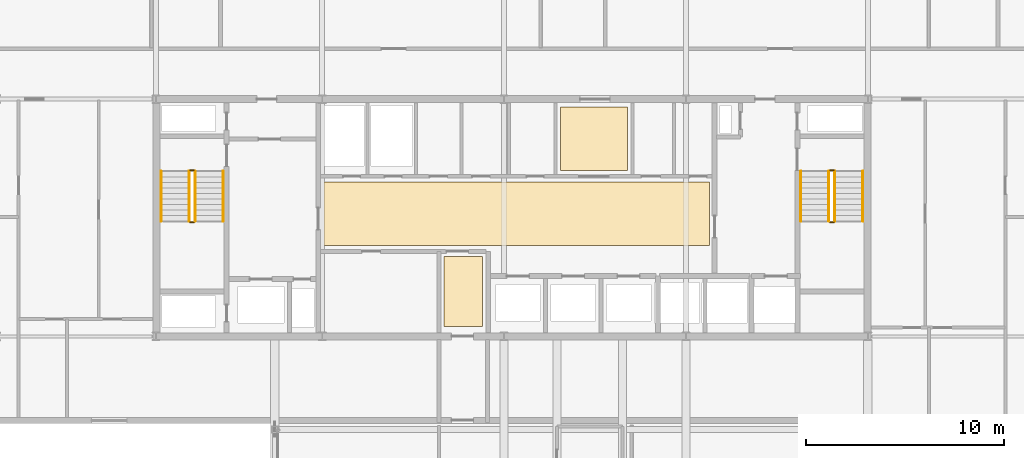
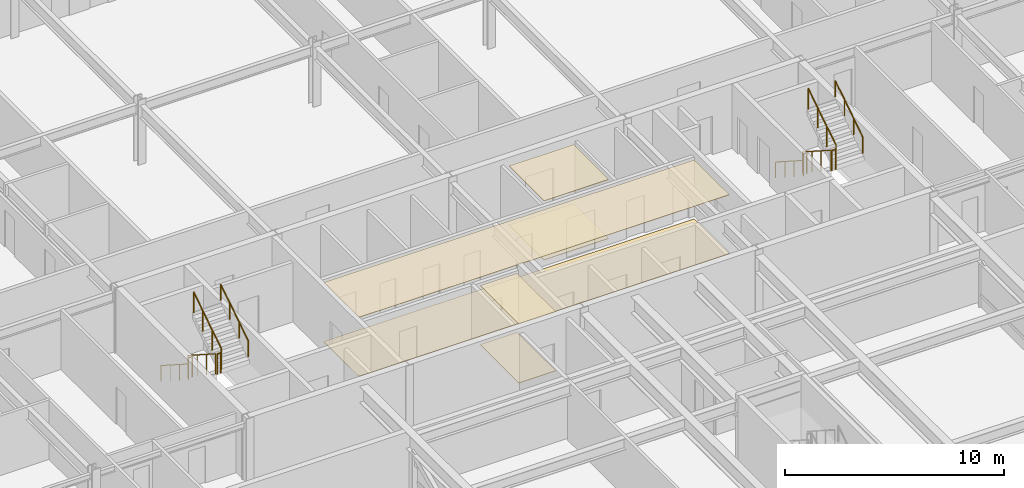
# One storey, part 34 of 35: 12 railings, 6 coverings.
"""IFC4 building model written with IfcOpenShell, lengths in metres."""

from ifc_helpers import new_model, si_unit, direction, frame, origin, origin_2d, place, context, subcontext, project, spatial, polyline, circle, outline, extrude, material, layer, layer_set, type_object, element, save


model = new_model("IFC4")

# Units and contexts
model_context = context("Model", 3, precision=1e-05, world=origin(), true_north=direction((0.0, 1.0)))
body_context = subcontext(model_context, "Body", "Model", "MODEL_VIEW")
ifc_project = project(units=[si_unit("LENGTHUNIT", "METRE"), si_unit("AREAUNIT", "SQUARE_METRE"), si_unit("VOLUMEUNIT", "CUBIC_METRE"), si_unit("PLANEANGLEUNIT", "RADIAN"), si_unit("MASSUNIT", "GRAM", prefix="KILO")], contexts=[model_context])

# Site, building, storey
site_placement = place(None, origin())
site = spatial("IfcSite", under=ifc_project, at=site_placement, CompositionType="ELEMENT")
building_placement = place(site_placement, origin())
building = spatial("IfcBuilding", under=site, at=building_placement, Name="Korimba Cascade Residences", CompositionType="ELEMENT")
storey_placement = place(building_placement, frame((0.0, 0.0, 150.10009765625)))
storey = spatial("IfcBuildingStorey", under=building, at=storey_placement, Name="L43", CompositionType="ELEMENT", Elevation=150.10009765625)

# Coverings
ifc_material_1 = material(Name="Perforated Acoustic Gypsum Ceiling", Category="gypsum")
ifc_layer_1 = layer(ifc_material_1, 0.02490234375)
ifc_layer_set_1 = layer_set([ifc_layer_1], Name="Perforated Acoustic Gypsum Ceiling")
covering_type_1 = type_object("IfcCoveringType", Name="COV-CLG-AC", PredefinedType="CEILING", material=ifc_layer_set_1)
covering_1_placement = place(storey_placement, frame((0.0, 0.0, 3.284912109375)))
element("IfcCovering", 1, at=covering_1_placement, inside=storey, type_object=covering_type_1, Name="L43 Suspended Acoustic Ceiling L43-BPS1", PredefinedType="CEILING", context=body_context, shape_type="SweptSolid", body=[
    extrude(outline(polyline([(90.64990234375, 55.699951171875), (92.60009765625, 55.699951171875), (92.60009765625, 59.22998046875), (90.64990234375, 59.22998046875), (90.64990234375, 55.699951171875)])), origin(), (0.0, 0.0, 1.0), 0.02490234375),
])
covering_2_placement = place(storey_placement, frame((0.0, 0.0, 3.284912109375)))
element("IfcCovering", 2, at=covering_2_placement, inside=storey, type_object=covering_type_1, Name="L43 Suspended Acoustic Ceiling L43-LL1", PredefinedType="CEILING", context=body_context, shape_type="SweptSolid", body=[
    extrude(outline(polyline([(84.60009765625, 59.800048828125), (104.10009765625, 59.800048828125), (104.10009765625, 63.0), (84.60009765625, 63.0), (84.60009765625, 59.800048828125)])), origin(), (0.0, 0.0, 1.0), 0.02490234375),
])
covering_3_placement = place(storey_placement, frame((0.0, 0.0, 3.284912109375)))
element("IfcCovering", 3, at=covering_3_placement, inside=storey, type_object=covering_type_1, Name="L43 Suspended Acoustic Ceiling L43-LT1", PredefinedType="CEILING", context=body_context, shape_type="SweptSolid", body=[
    extrude(outline(polyline([(96.550048828125, 63.60009765625), (99.949951171875, 63.60009765625), (99.949951171875, 66.800048828125), (96.550048828125, 66.800048828125), (96.550048828125, 63.60009765625)])), origin(), (0.0, 0.0, 1.0), 0.02490234375),
])
ifc_material_2 = material(Name="Honed Travertine Stone Flooring", Category="masonry")
ifc_layer_2 = layer(ifc_material_2, 0.02490234375)
ifc_layer_set_2 = layer_set([ifc_layer_2], Name="Honed Travertine Stone Flooring")
covering_type_2 = type_object("IfcCoveringType", Name="COV-FLR-STN", PredefinedType="FLOORING", material=ifc_layer_set_2)
covering_4_placement = place(storey_placement, origin())
element("IfcCovering", 4, at=covering_4_placement, inside=storey, type_object=covering_type_2, Name="L43 Honed Travertine Stone Flooring L43-BPS1", PredefinedType="FLOORING", context=body_context, shape_type="SweptSolid", body=[
    extrude(outline(polyline([(90.64990234375, 55.699951171875), (92.60009765625, 55.699951171875), (92.60009765625, 59.22998046875), (90.64990234375, 59.22998046875), (90.64990234375, 55.699951171875)])), origin(), (0.0, 0.0, 1.0), 0.02490234375),
])
covering_5_placement = place(storey_placement, origin())
element("IfcCovering", 5, at=covering_5_placement, inside=storey, type_object=covering_type_2, Name="L43 Honed Travertine Stone Flooring L43-LL1", PredefinedType="FLOORING", context=body_context, shape_type="SweptSolid", body=[
    extrude(outline(polyline([(84.60009765625, 59.800048828125), (104.10009765625, 59.800048828125), (104.10009765625, 63.0), (84.60009765625, 63.0), (84.60009765625, 59.800048828125)])), origin(), (0.0, 0.0, 1.0), 0.02490234375),
])
covering_6_placement = place(storey_placement, origin())
element("IfcCovering", 6, at=covering_6_placement, inside=storey, type_object=covering_type_2, Name="L43 Honed Travertine Stone Flooring L43-LT1", PredefinedType="FLOORING", context=body_context, shape_type="SweptSolid", body=[
    extrude(outline(polyline([(96.550048828125, 63.60009765625), (99.949951171875, 63.60009765625), (99.949951171875, 66.800048828125), (96.550048828125, 66.800048828125), (96.550048828125, 63.60009765625)])), origin(), (0.0, 0.0, 1.0), 0.02490234375),
])

# Railings
ifc_material_3 = material(Name="Painted Steel Stairwell Guardrail", Category="steel")
railing_type_1 = type_object("IfcRailingType", Name="RLG-ST-GD1150", PredefinedType="GUARDRAIL", material=ifc_material_3)
railing_1_placement = place(storey_placement, frame((77.77001953125, 63.550048828125, 0.179931640625)))
element("IfcRailing", 7, at=railing_1_placement, inside=storey, type_object=railing_type_1, Name="L43 ST-W1 stair guard 1", PredefinedType="GUARDRAIL", context=body_context, shape_type="SweptSolid", body=[
    extrude(circle(Radius=0.02392578125, at=origin_2d()), frame((0.0, 0.0, 1.1259765625), z_axis=(0.0, -0.841199657755, 0.540724639528), x_axis=(1.0, 0.0, 0.0)), (0.0, 0.0, 1.0), 2.995849609375),
    extrude(circle(Radius=0.02099609375, at=origin_2d()), origin(), (0.0, 0.0, 1.0), 1.101806640625),
    extrude(circle(Radius=0.02099609375, at=origin_2d()), frame((0.0, -0.840087890625, 0.5400390625)), (0.0, 0.0, 1.0), 1.101806640625),
    extrude(circle(Radius=0.02099609375, at=origin_2d()), frame((0.0, -1.679931640625, 1.079833984375)), (0.0, 0.0, 1.0), 1.101806640625),
    extrude(circle(Radius=0.02099609375, at=origin_2d()), frame((0.0, -2.52001953125, 1.619873046875)), (0.0, 0.0, 1.0), 1.101806640625),
])
railing_2_placement = place(storey_placement, frame((77.820068359375, 60.97998046875, 1.7998046875)))
element("IfcRailing", 8, at=railing_2_placement, inside=storey, type_object=railing_type_1, Name="L43 ST-W1 stair guard 2", PredefinedType="GUARDRAIL", context=body_context, shape_type="SweptSolid", body=[
    extrude(circle(Radius=0.02392578125, at=origin_2d()), frame((0.0, 0.0, 1.1259765625), z_axis=(1.0, 0.0, 0.0), x_axis=(0.0, 1.0, 0.0)), (0.0, 0.0, 1.0), 0.199951171875),
    extrude(circle(Radius=0.02099609375, at=origin_2d()), origin(), (0.0, 0.0, 1.0), 1.101806640625),
    extrude(circle(Radius=0.02099609375, at=origin_2d()), frame((0.199951171875, 0.0, 0.0)), (0.0, 0.0, 1.0), 1.101806640625),
])
railing_3_placement = place(storey_placement, frame((78.070068359375, 61.030029296875, 1.97998046875)))
element("IfcRailing", 9, at=railing_3_placement, inside=storey, type_object=railing_type_1, Name="L43 ST-W1 stair guard 3", PredefinedType="GUARDRAIL", context=body_context, shape_type="SweptSolid", body=[
    extrude(circle(Radius=0.02392578125, at=origin_2d()), frame((0.0, 0.0, 1.1259765625), z_axis=(0.0, 0.841199657755, 0.540724639528), x_axis=(-1.0, 0.0, 0.0)), (0.0, 0.0, 1.0), 2.995849609375),
    extrude(circle(Radius=0.02099609375, at=origin_2d()), origin(), (0.0, 0.0, 1.0), 1.101806640625),
    extrude(circle(Radius=0.02099609375, at=origin_2d()), frame((0.0, 0.840087890625, 0.5400390625)), (0.0, 0.0, 1.0), 1.101806640625),
    extrude(circle(Radius=0.02099609375, at=origin_2d()), frame((0.0, 1.679931640625, 1.079833984375)), (0.0, 0.0, 1.0), 1.101806640625),
    extrude(circle(Radius=0.02099609375, at=origin_2d()), frame((0.0, 2.52001953125, 1.619873046875)), (0.0, 0.0, 1.0), 1.101806640625),
])
railing_4_placement = place(storey_placement, frame((77.820068359375, 63.60009765625, 0.0)))
element("IfcRailing", 10, at=railing_4_placement, inside=storey, type_object=railing_type_1, Name="L43 ST-W1 stair guard 4", PredefinedType="GUARDRAIL", context=body_context, shape_type="SweptSolid", body=[
    extrude(circle(Radius=0.02392578125, at=origin_2d()), frame((0.0, 0.0, 1.1259765625), z_axis=(1.0, 0.0, 0.0), x_axis=(0.0, 1.0, 0.0)), (0.0, 0.0, 1.0), 0.199951171875),
    extrude(circle(Radius=0.02099609375, at=origin_2d()), origin(), (0.0, 0.0, 1.0), 1.101806640625),
    extrude(circle(Radius=0.02099609375, at=origin_2d()), frame((0.199951171875, 0.0, 0.0)), (0.0, 0.0, 1.0), 1.101806640625),
])
railing_5_placement = place(storey_placement, frame((110.1298828125, 63.550048828125, 0.179931640625)))
element("IfcRailing", 11, at=railing_5_placement, inside=storey, type_object=railing_type_1, Name="L43 ST-W2 stair guard 1", PredefinedType="GUARDRAIL", context=body_context, shape_type="SweptSolid", body=[
    extrude(circle(Radius=0.02392578125, at=origin_2d()), frame((0.0, 0.0, 1.1259765625), z_axis=(0.0, -0.841199657755, 0.540724639528), x_axis=(1.0, 0.0, 0.0)), (0.0, 0.0, 1.0), 2.995849609375),
    extrude(circle(Radius=0.02099609375, at=origin_2d()), origin(), (0.0, 0.0, 1.0), 1.101806640625),
    extrude(circle(Radius=0.02099609375, at=origin_2d()), frame((0.0, -0.840087890625, 0.5400390625)), (0.0, 0.0, 1.0), 1.101806640625),
    extrude(circle(Radius=0.02099609375, at=origin_2d()), frame((0.0, -1.679931640625, 1.079833984375)), (0.0, 0.0, 1.0), 1.101806640625),
    extrude(circle(Radius=0.02099609375, at=origin_2d()), frame((0.0, -2.52001953125, 1.619873046875)), (0.0, 0.0, 1.0), 1.101806640625),
])
railing_6_placement = place(storey_placement, frame((110.179931640625, 60.97998046875, 1.7998046875)))
element("IfcRailing", 12, at=railing_6_placement, inside=storey, type_object=railing_type_1, Name="L43 ST-W2 stair guard 2", PredefinedType="GUARDRAIL", context=body_context, shape_type="SweptSolid", body=[
    extrude(circle(Radius=0.02392578125, at=origin_2d()), frame((0.0, 0.0, 1.1259765625), z_axis=(1.0, 0.0, 0.0), x_axis=(0.0, 1.0, 0.0)), (0.0, 0.0, 1.0), 0.199951171875),
    extrude(circle(Radius=0.02099609375, at=origin_2d()), origin(), (0.0, 0.0, 1.0), 1.101806640625),
    extrude(circle(Radius=0.02099609375, at=origin_2d()), frame((0.199951171875, 0.0, 0.0)), (0.0, 0.0, 1.0), 1.101806640625),
])
railing_7_placement = place(storey_placement, frame((110.429931640625, 61.030029296875, 1.97998046875)))
element("IfcRailing", 13, at=railing_7_placement, inside=storey, type_object=railing_type_1, Name="L43 ST-W2 stair guard 3", PredefinedType="GUARDRAIL", context=body_context, shape_type="SweptSolid", body=[
    extrude(circle(Radius=0.02392578125, at=origin_2d()), frame((0.0, 0.0, 1.1259765625), z_axis=(0.0, 0.841199657755, 0.540724639528), x_axis=(-1.0, 0.0, 0.0)), (0.0, 0.0, 1.0), 2.995849609375),
    extrude(circle(Radius=0.02099609375, at=origin_2d()), origin(), (0.0, 0.0, 1.0), 1.101806640625),
    extrude(circle(Radius=0.02099609375, at=origin_2d()), frame((0.0, 0.840087890625, 0.5400390625)), (0.0, 0.0, 1.0), 1.101806640625),
    extrude(circle(Radius=0.02099609375, at=origin_2d()), frame((0.0, 1.679931640625, 1.079833984375)), (0.0, 0.0, 1.0), 1.101806640625),
    extrude(circle(Radius=0.02099609375, at=origin_2d()), frame((0.0, 2.52001953125, 1.619873046875)), (0.0, 0.0, 1.0), 1.101806640625),
])
railing_8_placement = place(storey_placement, frame((110.179931640625, 63.60009765625, 0.0)))
element("IfcRailing", 14, at=railing_8_placement, inside=storey, type_object=railing_type_1, Name="L43 ST-W2 stair guard 4", PredefinedType="GUARDRAIL", context=body_context, shape_type="SweptSolid", body=[
    extrude(circle(Radius=0.02392578125, at=origin_2d()), frame((0.0, 0.0, 1.1259765625), z_axis=(1.0, 0.0, 0.0), x_axis=(0.0, 1.0, 0.0)), (0.0, 0.0, 1.0), 0.199951171875),
    extrude(circle(Radius=0.02099609375, at=origin_2d()), origin(), (0.0, 0.0, 1.0), 1.101806640625),
    extrude(circle(Radius=0.02099609375, at=origin_2d()), frame((0.199951171875, 0.0, 0.0)), (0.0, 0.0, 1.0), 1.101806640625),
])
ifc_material_4 = material(Name="Brushed Stainless Steel Handrail", Category="steel")
railing_type_2 = type_object("IfcRailingType", Name="RLG-ST-HR900", PredefinedType="HANDRAIL", material=ifc_material_4)
railing_9_placement = place(storey_placement, frame((76.35009765625, 63.550048828125, 0.36376953125)))
element("IfcRailing", 15, at=railing_9_placement, inside=storey, type_object=railing_type_2, Name="L43 ST-W1 stair handrail 1", PredefinedType="HANDRAIL", context=body_context, shape_type="SweptSolid", body=[
    extrude(circle(Radius=0.02392578125, at=origin_2d()), frame((0.0, 0.0, 0.8759765625), z_axis=(0.0, -0.841199657755, 0.540724639528), x_axis=(1.0, 0.0, 0.0)), (0.0, 0.0, 1.0), 2.995849609375),
    extrude(circle(Radius=0.02099609375, at=origin_2d()), origin(), (0.0, 0.0, 1.0), 0.851806640625),
    extrude(circle(Radius=0.02099609375, at=origin_2d()), frame((0.0, -0.840087890625, 0.5400390625)), (0.0, 0.0, 1.0), 0.851806640625),
    extrude(circle(Radius=0.02099609375, at=origin_2d()), frame((0.0, -1.679931640625, 1.079833984375)), (0.0, 0.0, 1.0), 0.851806640625),
    extrude(circle(Radius=0.02099609375, at=origin_2d()), frame((0.0, -2.52001953125, 1.619873046875)), (0.0, 0.0, 1.0), 0.851806640625),
])
railing_10_placement = place(storey_placement, frame((79.489990234375, 61.030029296875, 2.163818359375)))
element("IfcRailing", 16, at=railing_10_placement, inside=storey, type_object=railing_type_2, Name="L43 ST-W1 stair handrail 2", PredefinedType="HANDRAIL", context=body_context, shape_type="SweptSolid", body=[
    extrude(circle(Radius=0.02392578125, at=origin_2d()), frame((0.0, 0.0, 0.8759765625), z_axis=(0.0, 0.841199657755, 0.540724639528), x_axis=(-1.0, 0.0, 0.0)), (0.0, 0.0, 1.0), 2.995849609375),
    extrude(circle(Radius=0.02099609375, at=origin_2d()), origin(), (0.0, 0.0, 1.0), 0.851806640625),
    extrude(circle(Radius=0.02099609375, at=origin_2d()), frame((0.0, 0.840087890625, 0.5400390625)), (0.0, 0.0, 1.0), 0.851806640625),
    extrude(circle(Radius=0.02099609375, at=origin_2d()), frame((0.0, 1.679931640625, 1.079833984375)), (0.0, 0.0, 1.0), 0.851806640625),
    extrude(circle(Radius=0.02099609375, at=origin_2d()), frame((0.0, 2.52001953125, 1.619873046875)), (0.0, 0.0, 1.0), 0.851806640625),
])
railing_11_placement = place(storey_placement, frame((108.7099609375, 63.550048828125, 0.36376953125)))
element("IfcRailing", 17, at=railing_11_placement, inside=storey, type_object=railing_type_2, Name="L43 ST-W2 stair handrail 1", PredefinedType="HANDRAIL", context=body_context, shape_type="SweptSolid", body=[
    extrude(circle(Radius=0.02392578125, at=origin_2d()), frame((0.0, 0.0, 0.8759765625), z_axis=(0.0, -0.841199657755, 0.540724639528), x_axis=(1.0, 0.0, 0.0)), (0.0, 0.0, 1.0), 2.995849609375),
    extrude(circle(Radius=0.02099609375, at=origin_2d()), origin(), (0.0, 0.0, 1.0), 0.851806640625),
    extrude(circle(Radius=0.02099609375, at=origin_2d()), frame((0.0, -0.840087890625, 0.5400390625)), (0.0, 0.0, 1.0), 0.851806640625),
    extrude(circle(Radius=0.02099609375, at=origin_2d()), frame((0.0, -1.679931640625, 1.079833984375)), (0.0, 0.0, 1.0), 0.851806640625),
    extrude(circle(Radius=0.02099609375, at=origin_2d()), frame((0.0, -2.52001953125, 1.619873046875)), (0.0, 0.0, 1.0), 0.851806640625),
])
railing_12_placement = place(storey_placement, frame((111.85009765625, 61.030029296875, 2.163818359375)))
element("IfcRailing", 18, at=railing_12_placement, inside=storey, type_object=railing_type_2, Name="L43 ST-W2 stair handrail 2", PredefinedType="HANDRAIL", context=body_context, shape_type="SweptSolid", body=[
    extrude(circle(Radius=0.02392578125, at=origin_2d()), frame((0.0, 0.0, 0.8759765625), z_axis=(0.0, 0.841199657755, 0.540724639528), x_axis=(-1.0, 0.0, 0.0)), (0.0, 0.0, 1.0), 2.995849609375),
    extrude(circle(Radius=0.02099609375, at=origin_2d()), origin(), (0.0, 0.0, 1.0), 0.851806640625),
    extrude(circle(Radius=0.02099609375, at=origin_2d()), frame((0.0, 0.840087890625, 0.5400390625)), (0.0, 0.0, 1.0), 0.851806640625),
    extrude(circle(Radius=0.02099609375, at=origin_2d()), frame((0.0, 1.679931640625, 1.079833984375)), (0.0, 0.0, 1.0), 0.851806640625),
    extrude(circle(Radius=0.02099609375, at=origin_2d()), frame((0.0, 2.52001953125, 1.619873046875)), (0.0, 0.0, 1.0), 0.851806640625),
])

save(model, "model.ifc")
